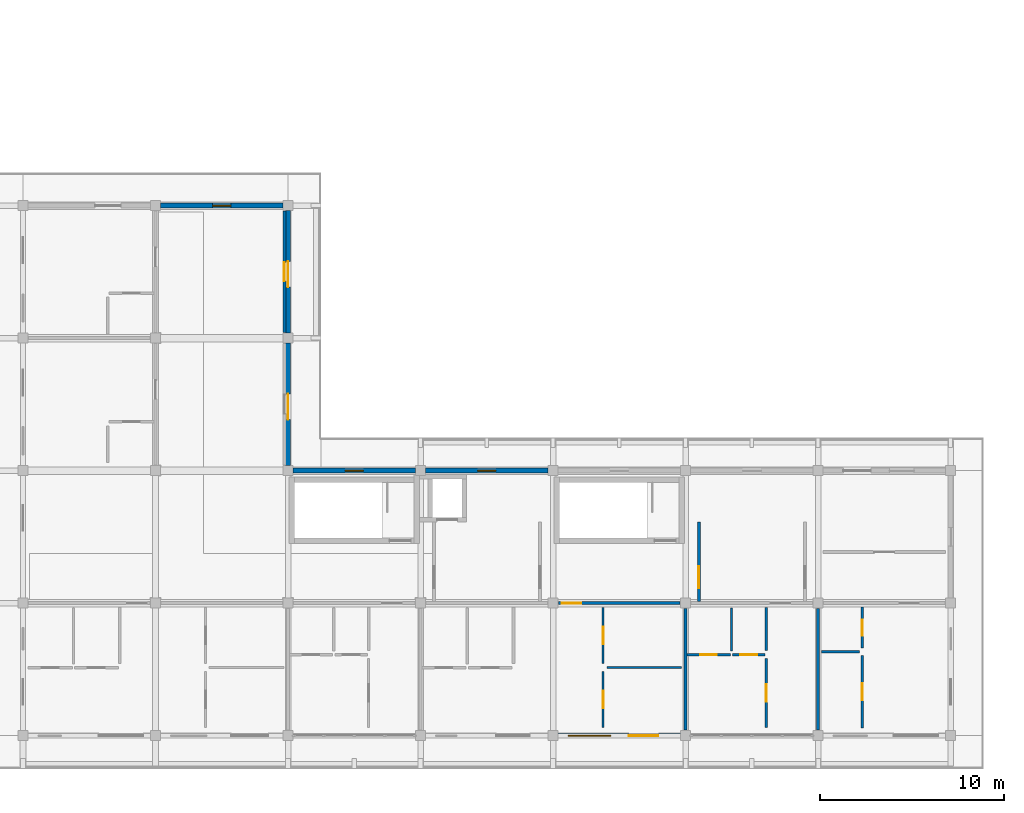
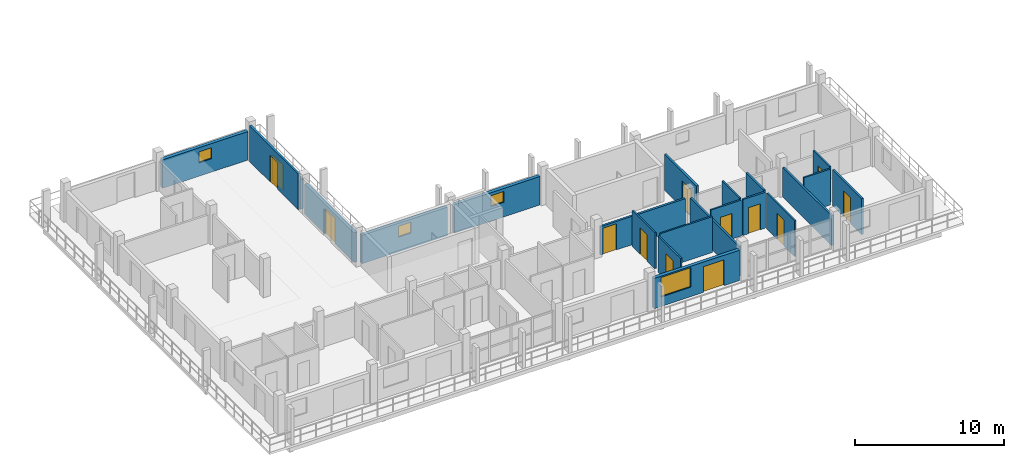
# One storey, part 36 of 65: 22 walls, 13 doors, 4 windows, 17 openings.
"""IFC4 building model written with IfcOpenShell, lengths in metres."""

from ifc_helpers import new_model, si_unit, direction, frame, frame_2d, origin, place, context, subcontext, project, spatial, rectangle, extrude, material, layer, layer_set, type_object, element, fill, save


model = new_model("IFC4")

# Units and contexts
model_context = context("Model", 3, precision=1e-05, world=origin(), true_north=direction((0.0, 1.0)))
body_context = subcontext(model_context, "Body", "Model", "MODEL_VIEW")
ifc_project = project(units=[si_unit("LENGTHUNIT", "METRE"), si_unit("AREAUNIT", "SQUARE_METRE"), si_unit("VOLUMEUNIT", "CUBIC_METRE"), si_unit("PLANEANGLEUNIT", "RADIAN"), si_unit("MASSUNIT", "GRAM", prefix="KILO")], contexts=[model_context])

# Site, building, storey
site_placement = place(None, origin())
site = spatial("IfcSite", under=ifc_project, at=site_placement, CompositionType="ELEMENT")
building_placement = place(site_placement, origin())
building = spatial("IfcBuilding", under=site, at=building_placement, Name="Suanplinth Sawtooth Commons", CompositionType="ELEMENT")
storey_placement = place(building_placement, frame((0.0, 0.0, 28.300048828125)))
storey = spatial("IfcBuildingStorey", under=building, at=storey_placement, Name="L08", CompositionType="ELEMENT", Elevation=28.300048828125)

# Wall, opening, door
ifc_material_1 = material(Name="Precast concrete C40/50", Category="concrete")
ifc_layer_1 = layer(ifc_material_1, 0.260009765625, Name="Insulated precast courtyard facade wall 260mm")
ifc_layer_set_1 = layer_set([ifc_layer_1], Name="Precast concrete C40/50")
wall_type_1 = type_object("IfcWallType", Name="W-EX02", PredefinedType="ELEMENTEDWALL", material=ifc_layer_set_1)
wall_1_placement = place(storey_placement, frame((14.39990234375, 14.675048828125, 0.0), z_axis=(0.0, 0.0, 1.0), x_axis=(0.0, 1.0, 0.0)))
wall_1 = element("IfcWall", 1, at=wall_1_placement, inside=storey, type_object=wall_type_1, Name="Facade Wall W-L08-D-E-1-2", PredefinedType="ELEMENTEDWALL", context=body_context, shape_type="SweptSolid", body=[
    extrude(rectangle(XDim=6.64990234375, YDim=0.260009765625, at=frame_2d((3.324951171875, 0.0))), origin(), (0.0, 0.0, 1.0), 2.445068359375),
])
opening_1_placement = place(wall_1_placement, frame((2.5, 0.0, 0.0)))
opening_1 = element("IfcOpeningElement", 2, at=opening_1_placement, cuts=wall_1, Name="Opening ED0681", PredefinedType="OPENING", context=body_context, shape_type="SweptSolid", body=[
    extrude(rectangle(XDim=1.39990234375, YDim=2.10009765625, at=frame_2d((0.699951171875, 1.050048828125))), frame((0.0, 0.14501953125, 0.0), z_axis=(0.0, -1.0, 0.0), x_axis=(1.0, 0.0, 0.0)), (0.0, 0.0, 1.0), 0.289794921875),
])
ifc_material_2 = material(Name="Anodized aluminium and low-E glass", Category="aluminium")
door_type_1 = type_object("IfcDoorType", Name="SD-07", OperationType="SLIDING_TO_RIGHT", PredefinedType="DOOR", material=ifc_material_2)
door_1_placement = place(opening_1_placement, frame((1.39990234375, 0.0, 0.0), z_axis=(0.0, 0.0, 1.0), x_axis=(-1.0, 0.0, 0.0)))
door_1 = element("IfcDoor", 3, at=door_1_placement, inside=storey, type_object=door_type_1, Name="Courtyard Veranda Studio Balcony Door L08-D-2", OperationType="SLIDING_TO_RIGHT", OverallHeight=2.10009765625, OverallWidth=1.39990234375, PredefinedType="DOOR", context=body_context, shape_type="SweptSolid", body=[
    extrude(rectangle(XDim=1.39990234375, YDim=2.10009765625, at=frame_2d((0.699951171875, 1.050048828125))), frame((0.0, 0.02490234375, 0.0), z_axis=(0.0, -1.0, 0.0), x_axis=(1.0, 0.0, 0.0)), (0.0, 0.0, 1.0), 0.050048828125),
])
fill(opening_1, door_1)

# Wall, opening, window
wall_2_placement = place(storey_placement, frame((7.47509765625, 28.800048828125, 0.0), z_axis=(0.0, 0.0, 1.0), x_axis=(1.0, 0.0, 0.0)))
wall_2 = element("IfcWall", 4, at=wall_2_placement, inside=storey, type_object=wall_type_1, Name="Facade Wall W-L08-D-N-1-3", PredefinedType="ELEMENTEDWALL", context=body_context, shape_type="SweptSolid", body=[
    extrude(rectangle(XDim=6.64990234375, YDim=0.260009765625, at=frame_2d((3.324951171875, 0.0))), origin(), (0.0, 0.0, 1.0), 2.344970703125),
])
opening_2_placement = place(wall_2_placement, frame((2.824951171875, 0.0, 1.10009765625)))
opening_2 = element("IfcOpeningElement", 5, at=opening_2_placement, cuts=wall_2, Name="Opening W0761", PredefinedType="OPENING", context=body_context, shape_type="SweptSolid", body=[
    extrude(rectangle(XDim=1.0, YDim=0.89990234375, at=frame_2d((0.5, 0.449951171875))), frame((0.0, 0.14501953125, 0.0), z_axis=(0.0, -1.0, 0.0), x_axis=(1.0, 0.0, 0.0)), (0.0, 0.0, 1.0), 0.289794921875),
])
ifc_material_3 = material(Name="Thermally broken aluminium and low-E double glazing", Category="aluminium")
window_type_1 = type_object("IfcWindowType", Name="WN-12", PartitioningType="SINGLE_PANEL", PredefinedType="WINDOW", material=ifc_material_3)
window_1_placement = place(opening_2_placement, origin())
window_1 = element("IfcWindow", 6, at=window_1_placement, inside=storey, type_object=window_type_1, Name="End Window L08-D-N-1-3", OverallHeight=0.89990234375, OverallWidth=1.0, PartitioningType="SINGLE_PANEL", PredefinedType="WINDOW", context=body_context, shape_type="SweptSolid", body=[
    extrude(rectangle(XDim=1.0, YDim=0.89990234375, at=frame_2d((0.5, 0.449951171875))), frame((0.0, 0.030029296875, 0.0), z_axis=(0.0, -1.0, 0.0), x_axis=(1.0, 0.0, 0.0)), (0.0, 0.0, 1.0), 0.06005859375),
])
fill(opening_2, window_1)

# Wall, opening, door
wall_3_placement = place(storey_placement, frame((14.39990234375, 21.875, 0.0), z_axis=(0.0, 0.0, 1.0), x_axis=(0.0, 1.0, 0.0)))
wall_3 = element("IfcWall", 7, at=wall_3_placement, inside=storey, type_object=wall_type_1, Name="Facade Wall W-L08-D-E-1-3", PredefinedType="ELEMENTEDWALL", context=body_context, shape_type="SweptSolid", body=[
    extrude(rectangle(XDim=6.64990234375, YDim=0.260009765625, at=frame_2d((3.324951171875, 0.0))), origin(), (0.0, 0.0, 1.0), 2.445068359375),
])
opening_3_placement = place(wall_3_placement, frame((2.5, 0.0, 0.0)))
opening_3 = element("IfcOpeningElement", 8, at=opening_3_placement, cuts=wall_3, Name="Opening ED0682", PredefinedType="OPENING", context=body_context, shape_type="SweptSolid", body=[
    extrude(rectangle(XDim=1.39990234375, YDim=2.10009765625, at=frame_2d((0.699951171875, 1.050048828125))), frame((0.0, 0.14501953125, 0.0), z_axis=(0.0, -1.0, 0.0), x_axis=(1.0, 0.0, 0.0)), (0.0, 0.0, 1.0), 0.289794921875),
])
door_2_placement = place(opening_3_placement, frame((1.39990234375, 0.0, 0.0), z_axis=(0.0, 0.0, 1.0), x_axis=(-1.0, 0.0, 0.0)))
door_2 = element("IfcDoor", 9, at=door_2_placement, inside=storey, type_object=door_type_1, Name="Courtyard Veranda Studio Balcony Door L08-D-3", OperationType="SLIDING_TO_RIGHT", OverallHeight=2.10009765625, OverallWidth=1.39990234375, PredefinedType="DOOR", context=body_context, shape_type="SweptSolid", body=[
    extrude(rectangle(XDim=1.39990234375, YDim=2.10009765625, at=frame_2d((0.699951171875, 1.050048828125))), frame((0.0, 0.02490234375, 0.0), z_axis=(0.0, -1.0, 0.0), x_axis=(1.0, 0.0, 0.0)), (0.0, 0.0, 1.0), 0.050048828125),
])
fill(opening_3, door_2)

# Wall, opening, window
wall_4_placement = place(storey_placement, frame((14.675048828125, 14.39990234375, 0.0), z_axis=(0.0, 0.0, 1.0), x_axis=(1.0, 0.0, 0.0)))
wall_4 = element("IfcWall", 10, at=wall_4_placement, inside=storey, type_object=wall_type_1, Name="Facade Wall W-L08-D-N-2-1", PredefinedType="ELEMENTEDWALL", context=body_context, shape_type="SweptSolid", body=[
    extrude(rectangle(XDim=6.64990234375, YDim=0.260009765625, at=frame_2d((3.324951171875, 0.0))), origin(), (0.0, 0.0, 1.0), 2.344970703125),
])
opening_4_placement = place(wall_4_placement, frame((2.824951171875, 0.0, 1.199951171875)))
opening_4 = element("IfcOpeningElement", 11, at=opening_4_placement, cuts=wall_4, Name="Opening W0762", PredefinedType="OPENING", context=body_context, shape_type="SweptSolid", body=[
    extrude(rectangle(XDim=1.0, YDim=0.89990234375, at=frame_2d((0.5, 0.449951171875))), frame((0.0, 0.14501953125, 0.0), z_axis=(0.0, -1.0, 0.0), x_axis=(1.0, 0.0, 0.0)), (0.0, 0.0, 1.0), 0.289794921875),
])
window_2_placement = place(opening_4_placement, origin())
window_2 = element("IfcWindow", 12, at=window_2_placement, inside=storey, type_object=window_type_1, Name="Core Daylight Window L08-D-2-1", OverallHeight=0.89990234375, OverallWidth=1.0, PartitioningType="SINGLE_PANEL", PredefinedType="WINDOW", context=body_context, shape_type="SweptSolid", body=[
    extrude(rectangle(XDim=1.0, YDim=0.89990234375, at=frame_2d((0.5, 0.449951171875))), frame((0.0, 0.030029296875, 0.0), z_axis=(0.0, -1.0, 0.0), x_axis=(1.0, 0.0, 0.0)), (0.0, 0.0, 1.0), 0.06005859375),
])
fill(opening_4, window_2)

wall_5_placement = place(storey_placement, frame((21.875, 14.39990234375, 0.0), z_axis=(0.0, 0.0, 1.0), x_axis=(1.0, 0.0, 0.0)))
wall_5 = element("IfcWall", 13, at=wall_5_placement, inside=storey, type_object=wall_type_1, Name="Facade Wall W-L08-D-N-3-1", PredefinedType="ELEMENTEDWALL", context=body_context, shape_type="SweptSolid", body=[
    extrude(rectangle(XDim=6.64990234375, YDim=0.260009765625, at=frame_2d((3.324951171875, 0.0))), origin(), (0.0, 0.0, 1.0), 2.344970703125),
])
opening_5_placement = place(wall_5_placement, frame((2.824951171875, 0.0, 1.199951171875)))
opening_5 = element("IfcOpeningElement", 14, at=opening_5_placement, cuts=wall_5, Name="Opening W0764", PredefinedType="OPENING", context=body_context, shape_type="SweptSolid", body=[
    extrude(rectangle(XDim=1.0, YDim=0.89990234375, at=frame_2d((0.5, 0.449951171875))), frame((0.0, 0.14501953125, 0.0), z_axis=(0.0, -1.0, 0.0), x_axis=(1.0, 0.0, 0.0)), (0.0, 0.0, 1.0), 0.289794921875),
])
window_3_placement = place(opening_5_placement, origin())
window_3 = element("IfcWindow", 15, at=window_3_placement, inside=storey, type_object=window_type_1, Name="Core Daylight Window L08-D-3-1", OverallHeight=0.89990234375, OverallWidth=1.0, PartitioningType="SINGLE_PANEL", PredefinedType="WINDOW", context=body_context, shape_type="SweptSolid", body=[
    extrude(rectangle(XDim=1.0, YDim=0.89990234375, at=frame_2d((0.5, 0.449951171875))), frame((0.0, 0.030029296875, 0.0), z_axis=(0.0, -1.0, 0.0), x_axis=(1.0, 0.0, 0.0)), (0.0, 0.0, 1.0), 0.06005859375),
])
fill(opening_5, window_3)

# Wall, openings, door, window
wall_6_placement = place(storey_placement, frame((29.074951171875, 0.0, 0.0), z_axis=(0.0, 0.0, 1.0), x_axis=(1.0, 0.0, 0.0)))
wall_6 = element("IfcWall", 16, at=wall_6_placement, inside=storey, type_object=wall_type_1, Name="Facade Wall W-L08-D-S-4-0", PredefinedType="ELEMENTEDWALL", context=body_context, shape_type="SweptSolid", body=[
    extrude(rectangle(XDim=6.650146484375, YDim=0.260009765625, at=frame_2d((3.3251953125, 0.0))), origin(), (0.0, 0.0, 1.0), 2.494873046875),
])
opening_6_placement = place(wall_6_placement, frame((3.85009765625, 0.0, 0.0)))
opening_6 = element("IfcOpeningElement", 17, at=opening_6_placement, cuts=wall_6, Name="Opening ED0684", PredefinedType="OPENING", context=body_context, shape_type="SweptSolid", body=[
    extrude(rectangle(XDim=1.60009765625, YDim=2.1201171875, at=frame_2d((0.800048828125, 1.06005859375))), frame((0.0, 0.14501953125, 0.0), z_axis=(0.0, -1.0, 0.0), x_axis=(1.0, 0.0, 0.0)), (0.0, 0.0, 1.0), 0.289794921875),
])
opening_7_placement = place(wall_6_placement, frame((0.550048828125, 0.0, 0.780029296875)))
opening_7 = element("IfcOpeningElement", 18, at=opening_7_placement, cuts=wall_6, Name="Opening W0765", PredefinedType="OPENING", context=body_context, shape_type="SweptSolid", body=[
    extrude(rectangle(XDim=2.300048828125, YDim=1.60009765625, at=frame_2d((1.14990234375, 0.800048828125))), frame((0.0, 0.14501953125, 0.0), z_axis=(0.0, -1.0, 0.0), x_axis=(1.0, 0.0, 0.0)), (0.0, 0.0, 1.0), 0.289794921875),
])
door_type_2 = type_object("IfcDoorType", Name="SD-02", OperationType="SLIDING_TO_RIGHT", PredefinedType="DOOR", material=ifc_material_2)
door_3_placement = place(opening_6_placement, frame((1.60009765625, 0.0, 0.0), z_axis=(0.0, 0.0, 1.0), x_axis=(-1.0, 0.0, 0.0)))
door_3 = element("IfcDoor", 19, at=door_3_placement, inside=storey, type_object=door_type_2, Name="Balcony Sliding Door L08-D-4", OperationType="SLIDING_TO_RIGHT", OverallHeight=2.1201171875, OverallWidth=1.60009765625, PredefinedType="DOOR", context=body_context, shape_type="SweptSolid", body=[
    extrude(rectangle(XDim=1.60009765625, YDim=2.1201171875, at=frame_2d((0.800048828125, 1.06005859375))), frame((0.0, 0.02490234375, 0.0), z_axis=(0.0, -1.0, 0.0), x_axis=(1.0, 0.0, 0.0)), (0.0, 0.0, 1.0), 0.050048828125),
])
fill(opening_6, door_3)
window_type_2 = type_object("IfcWindowType", Name="WN-21", PartitioningType="TRIPLE_PANEL_VERTICAL", PredefinedType="WINDOW", material=ifc_material_3)
window_4_placement = place(opening_7_placement, origin())
window_4 = element("IfcWindow", 20, at=window_4_placement, inside=storey, type_object=window_type_2, Name="Apartment Window L08-D-4", OverallHeight=1.60009765625, OverallWidth=2.300048828125, PartitioningType="TRIPLE_PANEL_VERTICAL", PredefinedType="WINDOW", context=body_context, shape_type="SweptSolid", body=[
    extrude(rectangle(XDim=2.300048828125, YDim=1.60009765625, at=frame_2d((1.14990234375, 0.800048828125))), frame((0.0, 0.030029296875, 0.0), z_axis=(0.0, -1.0, 0.0), x_axis=(1.0, 0.0, 0.0)), (0.0, 0.0, 1.0), 0.06005859375),
])
fill(opening_7, window_4)

# Wall, opening, door
ifc_layer_2 = layer(ifc_material_1, 0.159912109375, Name="Fire-rated corridor and lobby wall 160mm")
ifc_layer_set_2 = layer_set([ifc_layer_2], Name="Precast concrete C40/50")
wall_type_2 = type_object("IfcWallType", Name="W-FW01", PredefinedType="PARTITIONING", material=ifc_layer_set_2)
wall_7_placement = place(storey_placement, frame((36.719970703125, 7.280029296875, 0.0), z_axis=(0.0, 0.0, 1.0), x_axis=(0.0, 1.0, 0.0)))
wall_7 = element("IfcWall", 21, at=wall_7_placement, inside=storey, type_object=wall_type_2, Name="W-L08-C-D2-LOB-W", PredefinedType="PARTITIONING", context=body_context, shape_type="SweptSolid", body=[
    extrude(rectangle(XDim=4.320068359375, YDim=0.159912109375, at=frame_2d((2.16015625, 0.0))), origin(), (0.0, 0.0, 1.0), 2.949951171875),
])
opening_8_placement = place(wall_7_placement, frame((0.719970703125, 0.0, 0.0)))
opening_8 = element("IfcOpeningElement", 22, at=opening_8_placement, cuts=wall_7, Name="Opening FD0425", PredefinedType="OPENING", context=body_context, shape_type="SweptSolid", body=[
    extrude(rectangle(XDim=1.199951171875, YDim=2.199951171875, at=frame_2d((0.60009765625, 1.10009765625))), frame((0.0, 0.0947265625, 0.0), z_axis=(0.0, -1.0, 0.0), x_axis=(1.0, 0.0, 0.0)), (0.0, 0.0, 1.0), 0.189697265625),
])
ifc_material_4 = material(Name="Teak hardwood fire-rated door assembly", Category="wood")
door_type_3 = type_object("IfcDoorType", Name="FD-02", OperationType="NOTDEFINED", PredefinedType="DOOR", material=ifc_material_4)
door_4_placement = place(opening_8_placement, origin())
door_4 = element("IfcDoor", 23, at=door_4_placement, inside=storey, type_object=door_type_3, Name="Lobby Fire Door FD0425", OperationType="SINGLE_SWING_RIGHT", OverallHeight=2.199951171875, OverallWidth=1.199951171875, PredefinedType="DOOR", context=body_context, shape_type="SweptSolid", body=[
    extrude(rectangle(XDim=1.199951171875, YDim=2.199951171875, at=frame_2d((0.60009765625, 1.10009765625))), frame((0.0, 0.02490234375, 0.0), z_axis=(0.0, -1.0, 0.0), x_axis=(1.0, 0.0, 0.0)), (0.0, 0.0, 1.0), 0.050048828125),
])
fill(opening_8, door_4)

wall_8_placement = place(storey_placement, frame((29.10498046875, 7.199951171875, 0.0), z_axis=(0.0, 0.0, 1.0), x_axis=(1.0, 0.0, 0.0)))
wall_8 = element("IfcWall", 24, at=wall_8_placement, inside=storey, type_object=wall_type_2, Name="W-D-L08-U03-COR-S2", PredefinedType="PARTITIONING", context=body_context, shape_type="SweptSolid", body=[
    extrude(rectangle(XDim=6.590087890625, YDim=0.159912109375, at=frame_2d((3.294921875, 0.0))), origin(), (0.0, 0.0, 1.0), 2.344970703125),
])
opening_9_placement = place(wall_8_placement, frame((0.179931640625, 0.0, 0.0)))
opening_9 = element("IfcOpeningElement", 25, at=opening_9_placement, cuts=wall_8, Name="Opening FD1738", PredefinedType="OPENING", context=body_context, shape_type="SweptSolid", body=[
    extrude(rectangle(XDim=1.050048828125, YDim=2.14990234375, at=frame_2d((0.52490234375, 1.074951171875))), frame((0.0, 0.0947265625, 0.0), z_axis=(0.0, -1.0, 0.0), x_axis=(1.0, 0.0, 0.0)), (0.0, 0.0, 1.0), 0.189697265625),
])
door_type_4 = type_object("IfcDoorType", Name="FD-04", OperationType="NOTDEFINED", PredefinedType="DOOR", material=ifc_material_4)
door_5_placement = place(opening_9_placement, frame((1.050048828125, 0.0, 0.0), z_axis=(0.0, 0.0, 1.0), x_axis=(-1.0, 0.0, 0.0)))
door_5 = element("IfcDoor", 26, at=door_5_placement, inside=storey, type_object=door_type_4, Name="Unit Entrance Door FD1738", OperationType="SINGLE_SWING_RIGHT", OverallHeight=2.14990234375, OverallWidth=1.050048828125, PredefinedType="DOOR", context=body_context, shape_type="SweptSolid", body=[
    extrude(rectangle(XDim=1.050048828125, YDim=2.14990234375, at=frame_2d((0.52490234375, 1.074951171875))), frame((0.0, 0.02490234375, 0.0), z_axis=(0.0, -1.0, 0.0), x_axis=(1.0, 0.0, 0.0)), (0.0, 0.0, 1.0), 0.050048828125),
])
fill(opening_9, door_5)

wall_9_placement = place(storey_placement, frame((14.199951171875, 21.905029296875, 0.0), z_axis=(0.0, 0.0, 1.0), x_axis=(0.0, 1.0, 0.0)))
wall_9 = element("IfcWall", 27, at=wall_9_placement, inside=storey, type_object=wall_type_2, Name="W-D-L08-LEGCOURTROOM-49-COR", PredefinedType="PARTITIONING", context=body_context, shape_type="SweptSolid", body=[
    extrude(rectangle(XDim=6.590087890625, YDim=0.159912109375, at=frame_2d((3.294921875, 0.0))), origin(), (0.0, 0.0, 1.0), 2.949951171875),
])
opening_10_placement = place(wall_9_placement, frame((2.784912109375, 0.0, 0.0)))
opening_10 = element("IfcOpeningElement", 28, at=opening_10_placement, cuts=wall_9, Name="Opening D1756", PredefinedType="OPENING", context=body_context, shape_type="SweptSolid", body=[
    extrude(rectangle(XDim=1.02001953125, YDim=2.179931640625, at=frame_2d((0.510009765625, 1.08984375))), frame((0.0, 0.0947265625, 0.0), z_axis=(0.0, -1.0, 0.0), x_axis=(1.0, 0.0, 0.0)), (0.0, 0.0, 1.0), 0.189697265625),
])
ifc_material_5 = material(Name="Teak hardwood", Category="wood")
door_type_5 = type_object("IfcDoorType", Name="D-16", OperationType="NOTDEFINED", PredefinedType="DOOR", material=ifc_material_5)
door_6_placement = place(opening_10_placement, frame((1.02001953125, 0.0, 0.0), z_axis=(0.0, 0.0, 1.0), x_axis=(-1.0, 0.0, 0.0)))
door_6 = element("IfcDoor", 29, at=door_6_placement, inside=storey, type_object=door_type_5, Name="Veranda Studio Door D1756", OperationType="SINGLE_SWING_RIGHT", OverallHeight=2.179931640625, OverallWidth=1.02001953125, PredefinedType="DOOR", context=body_context, shape_type="SweptSolid", body=[
    extrude(rectangle(XDim=1.02001953125, YDim=2.179931640625, at=frame_2d((0.510009765625, 1.08984375))), frame((0.0, 0.02490234375, 0.0), z_axis=(0.0, -1.0, 0.0), x_axis=(1.0, 0.0, 0.0)), (0.0, 0.0, 1.0), 0.050048828125),
])
fill(opening_10, door_6)

# Walls
ifc_layer_3 = layer(ifc_material_1, 0.14990234375, Name="Acoustic precast party demising wall 150mm")
ifc_layer_set_3 = layer_set([ifc_layer_3], Name="Precast concrete C40/50")
wall_type_3 = type_object("IfcWallType", Name="W-FW02", PredefinedType="PARTITIONING", material=ifc_layer_set_3)
for number, where, z_axis, x_axis, name in (
    (30, (36.0, 0.304931640625, 0.0), (0.0, 0.0, 1.0), (0.0, 1.0, 0.0), "W-D-L08-U03-PTY"),
    (31, (43.199951171875, 0.304931640625, 0.0), (0.0, 0.0, 1.0), (0.0, 1.0, 0.0), "W-D-L08-U04-PTY"),
):
    element("IfcWall", number, at=place(storey_placement, frame(where, z_axis=z_axis, x_axis=x_axis)), inside=storey, type_object=wall_type_3, Name=name, PredefinedType="PARTITIONING", context=body_context, shape_type="SweptSolid", body=[
        extrude(rectangle(XDim=6.590087890625, YDim=0.14990234375, at=frame_2d((3.294921875, 0.0))), origin(), (0.0, 0.0, 1.0), 2.445068359375),
    ])

# Wall, opening, door
ifc_material_6 = material(Name="Gypsum plasterboard on steel stud", Category="steel")
ifc_layer_4 = layer(ifc_material_6, 0.139892578125, Name="Fire-rated kitchen partition 140mm")
ifc_layer_set_4 = layer_set([ifc_layer_4], Name="Gypsum plasterboard on steel stud")
wall_type_4 = type_object("IfcWallType", Name="W-PT01", PredefinedType="PARTITIONING", material=ifc_layer_set_4)
wall_10_placement = place(storey_placement, frame((38.550048828125, 4.39990234375, 0.0), z_axis=(0.0, 0.0, 1.0), x_axis=(1.0, 0.0, 0.0)))
wall_10 = element("IfcWall", 32, at=wall_10_placement, inside=storey, type_object=wall_type_4, Name="W-D-L08-U04-KIT1", PredefinedType="PARTITIONING", context=body_context, shape_type="SweptSolid", body=[
    extrude(rectangle(XDim=1.77001953125, YDim=0.139892578125, at=frame_2d((0.885009765625, 0.0))), origin(), (0.0, 0.0, 1.0), 2.949951171875),
])
opening_11_placement = place(wall_10_placement, frame((0.419921875, 0.0, 0.0)))
opening_11 = element("IfcOpeningElement", 33, at=opening_11_placement, cuts=wall_10, Name="Opening D1745", PredefinedType="OPENING", context=body_context, shape_type="SweptSolid", body=[
    extrude(rectangle(XDim=0.929931640625, YDim=2.139892578125, at=frame_2d((0.46484375, 1.06982421875))), frame((0.0, 0.0849609375, 0.0), z_axis=(0.0, -1.0, 0.0), x_axis=(1.0, 0.0, 0.0)), (0.0, 0.0, 1.0), 0.169677734375),
])
door_type_6 = type_object("IfcDoorType", Name="D-19", OperationType="NOTDEFINED", PredefinedType="DOOR", material=ifc_material_5)
door_7_placement = place(opening_11_placement, origin())
door_7 = element("IfcDoor", 34, at=door_7_placement, inside=storey, type_object=door_type_6, Name="Kitchen Door D1745", OperationType="SINGLE_SWING_LEFT", OverallHeight=2.139892578125, OverallWidth=0.929931640625, PredefinedType="DOOR", context=body_context, shape_type="SweptSolid", body=[
    extrude(rectangle(XDim=0.929931640625, YDim=2.139892578125, at=frame_2d((0.46484375, 1.06982421875))), frame((0.0, 0.02490234375, 0.0), z_axis=(0.0, -1.0, 0.0), x_axis=(1.0, 0.0, 0.0)), (0.0, 0.0, 1.0), 0.050048828125),
])
fill(opening_11, door_7)

# Wall
wall_11_placement = place(storey_placement, frame((40.389892578125, 4.6201171875, 0.0), z_axis=(0.0, 0.0, 1.0), x_axis=(0.0, 1.0, 0.0)))
element("IfcWall", 35, at=wall_11_placement, inside=storey, type_object=wall_type_4, Name="W-D-L08-U04-KIT2", PredefinedType="PARTITIONING", context=body_context, shape_type="SweptSolid", body=[
    extrude(rectangle(XDim=2.349853515625, YDim=0.139892578125, at=frame_2d((1.1748046875, 0.0))), origin(), (0.0, 0.0, 1.0), 2.949951171875),
])

# Wall, opening, door
wall_12_placement = place(storey_placement, frame((45.594970703125, 0.419921875, 0.0), z_axis=(0.0, 0.0, 1.0), x_axis=(0.0, 1.0, 0.0)))
wall_12 = element("IfcWall", 36, at=wall_12_placement, inside=storey, type_object=wall_type_4, Name="W-D-L08-U05-KITE", PredefinedType="PARTITIONING", context=body_context, shape_type="SweptSolid", body=[
    extrude(rectangle(XDim=3.940185546875, YDim=0.139892578125, at=frame_2d((1.97021484375, 0.0))), origin(), (0.0, 0.0, 1.0), 2.949951171875),
])
opening_12_placement = place(wall_12_placement, frame((1.5048828125, 0.0, 0.0)))
opening_12 = element("IfcOpeningElement", 37, at=opening_12_placement, cuts=wall_12, Name="Opening D1749", PredefinedType="OPENING", context=body_context, shape_type="SweptSolid", body=[
    extrude(rectangle(XDim=0.929931640625, YDim=2.139892578125, at=frame_2d((0.46484375, 1.06982421875))), frame((0.0, 0.0849609375, 0.0), z_axis=(0.0, -1.0, 0.0), x_axis=(1.0, 0.0, 0.0)), (0.0, 0.0, 1.0), 0.169677734375),
])
door_8_placement = place(opening_12_placement, origin())
door_8 = element("IfcDoor", 38, at=door_8_placement, inside=storey, type_object=door_type_6, Name="Kitchen Door D1749", OperationType="SINGLE_SWING_LEFT", OverallHeight=2.139892578125, OverallWidth=0.929931640625, PredefinedType="DOOR", context=body_context, shape_type="SweptSolid", body=[
    extrude(rectangle(XDim=0.929931640625, YDim=2.139892578125, at=frame_2d((0.46484375, 1.06982421875))), frame((0.0, 0.02490234375, 0.0), z_axis=(0.0, -1.0, 0.0), x_axis=(1.0, 0.0, 0.0)), (0.0, 0.0, 1.0), 0.050048828125),
])
fill(opening_12, door_8)

ifc_layer_5 = layer(ifc_material_6, 0.1298828125, Name="Moisture-resistant bathroom partition 130mm")
ifc_layer_set_5 = layer_set([ifc_layer_5], Name="Gypsum plasterboard on steel stud")
wall_type_5 = type_object("IfcWallType", Name="W-PT02", PredefinedType="PARTITIONING", material=ifc_layer_set_5)
wall_13_placement = place(storey_placement, frame((36.080078125, 4.405029296875, 0.0), z_axis=(0.0, 0.0, 1.0), x_axis=(1.0, 0.0, 0.0)))
wall_13 = element("IfcWall", 39, at=wall_13_placement, inside=storey, type_object=wall_type_5, Name="W-D-L08-U04-BTH1", PredefinedType="PARTITIONING", context=body_context, shape_type="SweptSolid", body=[
    extrude(rectangle(XDim=2.349853515625, YDim=0.1298828125, at=frame_2d((1.1748046875, 0.0))), origin(), (0.0, 0.0, 1.0), 2.949951171875),
])
opening_13_placement = place(wall_13_placement, frame((0.72509765625, 0.0, 0.0)))
opening_13 = element("IfcOpeningElement", 40, at=opening_13_placement, cuts=wall_13, Name="Opening D1744", PredefinedType="OPENING", context=body_context, shape_type="SweptSolid", body=[
    extrude(rectangle(XDim=0.89990234375, YDim=2.10009765625, at=frame_2d((0.449951171875, 1.050048828125))), frame((0.0, 0.079833984375, 0.0), z_axis=(0.0, -1.0, 0.0), x_axis=(1.0, 0.0, 0.0)), (0.0, 0.0, 1.0), 0.15966796875),
])
door_type_7 = type_object("IfcDoorType", Name="D-01", OperationType="NOTDEFINED", PredefinedType="DOOR", material=ifc_material_5)
door_9_placement = place(opening_13_placement, origin())
door_9 = element("IfcDoor", 41, at=door_9_placement, inside=storey, type_object=door_type_7, Name="Bathroom Door D1744", OperationType="SINGLE_SWING_RIGHT", OverallHeight=2.10009765625, OverallWidth=0.89990234375, PredefinedType="DOOR", context=body_context, shape_type="SweptSolid", body=[
    extrude(rectangle(XDim=0.89990234375, YDim=2.10009765625, at=frame_2d((0.449951171875, 1.050048828125))), frame((0.0, 0.02490234375, 0.0), z_axis=(0.0, -1.0, 0.0), x_axis=(1.0, 0.0, 0.0)), (0.0, 0.0, 1.0), 0.050048828125),
])
fill(opening_13, door_9)

# Walls
wall_14_placement = place(storey_placement, frame((38.4951171875, 4.610107421875, 0.0), z_axis=(0.0, 0.0, 1.0), x_axis=(0.0, 1.0, 0.0)))
element("IfcWall", 42, at=wall_14_placement, inside=storey, type_object=wall_type_5, Name="W-D-L08-U04-BTH2", PredefinedType="PARTITIONING", context=body_context, shape_type="SweptSolid", body=[
    extrude(rectangle(XDim=2.329833984375, YDim=0.1298828125, at=frame_2d((1.1650390625, 0.0))), origin(), (0.0, 0.0, 1.0), 2.949951171875),
])
wall_15_placement = place(storey_placement, frame((43.39990234375, 4.56005859375, 0.0), z_axis=(0.0, 0.0, 1.0), x_axis=(1.0, 0.0, 0.0)))
element("IfcWall", 43, at=wall_15_placement, inside=storey, type_object=wall_type_5, Name="W-D-L08-U05-STDIV", PredefinedType="PARTITIONING", context=body_context, shape_type="SweptSolid", body=[
    extrude(rectangle(XDim=2.050048828125, YDim=0.1298828125, at=frame_2d((1.02490234375, 0.0))), origin(), (0.0, 0.0, 1.0), 2.949951171875),
])

# Wall, opening, door
wall_16_placement = place(storey_placement, frame((45.594970703125, 4.760009765625, 0.0), z_axis=(0.0, 0.0, 1.0), x_axis=(0.0, 1.0, 0.0)))
wall_16 = element("IfcWall", 44, at=wall_16_placement, inside=storey, type_object=wall_type_5, Name="W-D-L08-U05-BTHE", PredefinedType="PARTITIONING", context=body_context, shape_type="SweptSolid", body=[
    extrude(rectangle(XDim=2.219970703125, YDim=0.1298828125, at=frame_2d((1.10986328125, 0.0))), origin(), (0.0, 0.0, 1.0), 2.949951171875),
])
opening_14_placement = place(wall_16_placement, frame((0.669921875, 0.0, 0.0)))
opening_14 = element("IfcOpeningElement", 45, at=opening_14_placement, cuts=wall_16, Name="Opening D1748", PredefinedType="OPENING", context=body_context, shape_type="SweptSolid", body=[
    extrude(rectangle(XDim=0.8798828125, YDim=2.10009765625, at=frame_2d((0.43994140625, 1.050048828125))), frame((0.0, 0.079833984375, 0.0), z_axis=(0.0, -1.0, 0.0), x_axis=(1.0, 0.0, 0.0)), (0.0, 0.0, 1.0), 0.15966796875),
])
door_type_8 = type_object("IfcDoorType", Name="D-14", OperationType="NOTDEFINED", PredefinedType="DOOR", material=ifc_material_5)
door_10_placement = place(opening_14_placement, origin())
door_10 = element("IfcDoor", 46, at=door_10_placement, inside=storey, type_object=door_type_8, Name="Bathroom Door D1748", OperationType="SINGLE_SWING_RIGHT", OverallHeight=2.10009765625, OverallWidth=0.8798828125, PredefinedType="DOOR", context=body_context, shape_type="SweptSolid", body=[
    extrude(rectangle(XDim=0.8798828125, YDim=2.10009765625, at=frame_2d((0.43994140625, 1.050048828125))), frame((0.0, 0.02490234375, 0.0), z_axis=(0.0, -1.0, 0.0), x_axis=(1.0, 0.0, 0.0)), (0.0, 0.0, 1.0), 0.050048828125),
])
fill(opening_14, door_10)

ifc_layer_6 = layer(ifc_material_6, 0.1201171875, Name="Acoustic bedroom partition 120mm")
ifc_layer_set_6 = layer_set([ifc_layer_6], Name="Gypsum plasterboard on steel stud")
wall_type_6 = type_object("IfcWallType", Name="W-PT03", PredefinedType="PARTITIONING", material=ifc_layer_set_6)
wall_17_placement = place(storey_placement, frame((31.52001953125, 0.43994140625, 0.0), z_axis=(0.0, 0.0, 1.0), x_axis=(0.0, 1.0, 0.0)))
wall_17 = element("IfcWall", 47, at=wall_17_placement, inside=storey, type_object=wall_type_6, Name="W-D-L08-U03-BED1", PredefinedType="PARTITIONING", context=body_context, shape_type="SweptSolid", body=[
    extrude(rectangle(XDim=3.0400390625, YDim=0.1201171875, at=frame_2d((1.52001953125, 0.0))), origin(), (0.0, 0.0, 1.0), 2.949951171875),
])
opening_15_placement = place(wall_17_placement, frame((1.044921875, 0.0, 0.0)))
opening_15 = element("IfcOpeningElement", 48, at=opening_15_placement, cuts=wall_17, Name="Opening D1741", PredefinedType="OPENING", context=body_context, shape_type="SweptSolid", body=[
    extrude(rectangle(XDim=0.949951171875, YDim=2.14990234375, at=frame_2d((0.47509765625, 1.074951171875))), frame((0.0, 0.074951171875, 0.0), z_axis=(0.0, -1.0, 0.0), x_axis=(1.0, 0.0, 0.0)), (0.0, 0.0, 1.0), 0.14990234375),
])
door_type_9 = type_object("IfcDoorType", Name="D-03", OperationType="NOTDEFINED", PredefinedType="DOOR", material=ifc_material_5)
door_11_placement = place(opening_15_placement, frame((0.949951171875, 0.0, 0.0), z_axis=(0.0, 0.0, 1.0), x_axis=(-1.0, 0.0, 0.0)))
door_11 = element("IfcDoor", 49, at=door_11_placement, inside=storey, type_object=door_type_9, Name="Bedroom Door D1741", OperationType="SINGLE_SWING_LEFT", OverallHeight=2.14990234375, OverallWidth=0.949951171875, PredefinedType="DOOR", context=body_context, shape_type="SweptSolid", body=[
    extrude(rectangle(XDim=0.949951171875, YDim=2.14990234375, at=frame_2d((0.47509765625, 1.074951171875))), frame((0.0, 0.02490234375, 0.0), z_axis=(0.0, -1.0, 0.0), x_axis=(1.0, 0.0, 0.0)), (0.0, 0.0, 1.0), 0.050048828125),
])
fill(opening_15, door_11)

wall_18_placement = place(storey_placement, frame((31.52001953125, 3.919921875, 0.0), z_axis=(0.0, 0.0, 1.0), x_axis=(0.0, 1.0, 0.0)))
wall_18 = element("IfcWall", 50, at=wall_18_placement, inside=storey, type_object=wall_type_6, Name="W-D-L08-U03-BED2", PredefinedType="PARTITIONING", context=body_context, shape_type="SweptSolid", body=[
    extrude(rectangle(XDim=3.0400390625, YDim=0.1201171875, at=frame_2d((1.52001953125, 0.0))), origin(), (0.0, 0.0, 1.0), 2.949951171875),
])
opening_16_placement = place(wall_18_placement, frame((1.0400390625, 0.0, 0.0)))
opening_16 = element("IfcOpeningElement", 51, at=opening_16_placement, cuts=wall_18, Name="Opening D1742", PredefinedType="OPENING", context=body_context, shape_type="SweptSolid", body=[
    extrude(rectangle(XDim=0.9599609375, YDim=2.14990234375, at=frame_2d((0.47998046875, 1.074951171875))), frame((0.0, 0.074951171875, 0.0), z_axis=(0.0, -1.0, 0.0), x_axis=(1.0, 0.0, 0.0)), (0.0, 0.0, 1.0), 0.14990234375),
])
door_type_10 = type_object("IfcDoorType", Name="D-13", OperationType="NOTDEFINED", PredefinedType="DOOR", material=ifc_material_5)
door_12_placement = place(opening_16_placement, frame((0.9599609375, 0.0, 0.0), z_axis=(0.0, 0.0, 1.0), x_axis=(-1.0, 0.0, 0.0)))
door_12 = element("IfcDoor", 52, at=door_12_placement, inside=storey, type_object=door_type_10, Name="Second Bedroom Door D1742", OperationType="SINGLE_SWING_RIGHT", OverallHeight=2.14990234375, OverallWidth=0.9599609375, PredefinedType="DOOR", context=body_context, shape_type="SweptSolid", body=[
    extrude(rectangle(XDim=0.9599609375, YDim=2.14990234375, at=frame_2d((0.47998046875, 1.074951171875))), frame((0.0, 0.02490234375, 0.0), z_axis=(0.0, -1.0, 0.0), x_axis=(1.0, 0.0, 0.0)), (0.0, 0.0, 1.0), 0.050048828125),
])
fill(opening_16, door_12)

wall_19_placement = place(storey_placement, frame((40.3798828125, 0.43994140625, 0.0), z_axis=(0.0, 0.0, 1.0), x_axis=(0.0, 1.0, 0.0)))
wall_19 = element("IfcWall", 53, at=wall_19_placement, inside=storey, type_object=wall_type_6, Name="W-D-L08-U04-BED1", PredefinedType="PARTITIONING", context=body_context, shape_type="SweptSolid", body=[
    extrude(rectangle(XDim=3.75, YDim=0.1201171875, at=frame_2d((1.875, 0.0))), origin(), (0.0, 0.0, 1.0), 2.949951171875),
])
opening_17_placement = place(wall_19_placement, frame((1.39990234375, 0.0, 0.0)))
opening_17 = element("IfcOpeningElement", 54, at=opening_17_placement, cuts=wall_19, Name="Opening D1746", PredefinedType="OPENING", context=body_context, shape_type="SweptSolid", body=[
    extrude(rectangle(XDim=0.949951171875, YDim=2.14990234375, at=frame_2d((0.47509765625, 1.074951171875))), frame((0.0, 0.074951171875, 0.0), z_axis=(0.0, -1.0, 0.0), x_axis=(1.0, 0.0, 0.0)), (0.0, 0.0, 1.0), 0.14990234375),
])
door_13_placement = place(opening_17_placement, origin())
door_13 = element("IfcDoor", 55, at=door_13_placement, inside=storey, type_object=door_type_9, Name="Bedroom Door D1746", OperationType="SINGLE_SWING_RIGHT", OverallHeight=2.14990234375, OverallWidth=0.949951171875, PredefinedType="DOOR", context=body_context, shape_type="SweptSolid", body=[
    extrude(rectangle(XDim=0.949951171875, YDim=2.14990234375, at=frame_2d((0.47509765625, 1.074951171875))), frame((0.0, 0.02490234375, 0.0), z_axis=(0.0, -1.0, 0.0), x_axis=(1.0, 0.0, 0.0)), (0.0, 0.0, 1.0), 0.050048828125),
])
fill(opening_17, door_13)

# Wall
ifc_layer_7 = layer(ifc_material_6, 0.125, Name="Acoustic study partition 125mm")
ifc_layer_set_7 = layer_set([ifc_layer_7], Name="Gypsum plasterboard on steel stud")
wall_type_7 = type_object("IfcWallType", Name="W-PT06", PredefinedType="PARTITIONING", material=ifc_layer_set_7)
wall_20_placement = place(storey_placement, frame((31.719970703125, 3.699951171875, 0.0), z_axis=(0.0, 0.0, 1.0), x_axis=(1.0, 0.0, 0.0)))
element("IfcWall", 56, at=wall_20_placement, inside=storey, type_object=wall_type_7, Name="W-D-L08-U03-BEDDIV", PredefinedType="PARTITIONING", context=body_context, shape_type="SweptSolid", body=[
    extrude(rectangle(XDim=4.06005859375, YDim=0.125, at=frame_2d((2.030029296875, 0.0))), origin(), (0.0, 0.0, 1.0), 2.949951171875),
])

save(model, "model.ifc")
